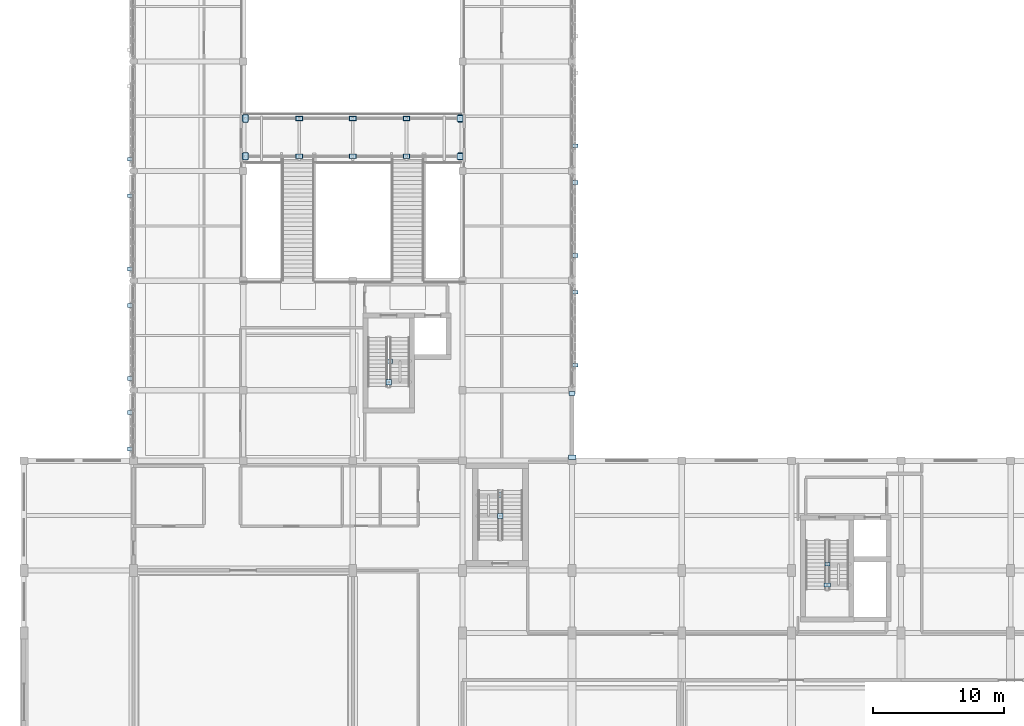
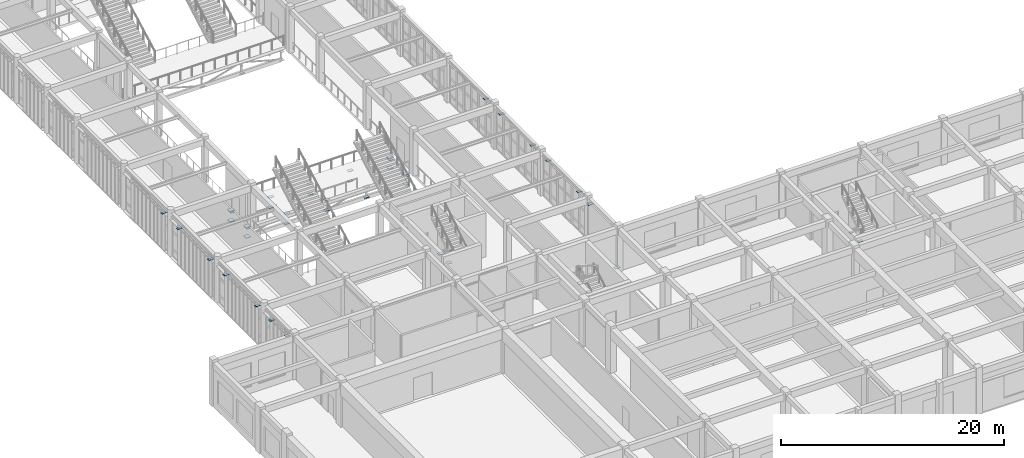
# One storey, part 66 of 93: 44 plates.
"""IFC4 building model written with IfcOpenShell, lengths in metres."""

from ifc_helpers import new_model, si_unit, direction, frame, origin, origin_2d, place, context, subcontext, project, spatial, rectangle, extrude, material, layer, layer_set, type_object, element, save


model = new_model("IFC4")

# Units and contexts
model_context = context("Model", 3, precision=1e-05, world=origin(), true_north=direction((0.0, 1.0)))
body_context = subcontext(model_context, "Body", "Model", "MODEL_VIEW")
ifc_project = project(units=[si_unit("LENGTHUNIT", "METRE"), si_unit("AREAUNIT", "SQUARE_METRE"), si_unit("VOLUMEUNIT", "CUBIC_METRE"), si_unit("PLANEANGLEUNIT", "RADIAN"), si_unit("MASSUNIT", "GRAM", prefix="KILO")], contexts=[model_context])

# Site, building, storey
site_placement = place(None, origin())
site = spatial("IfcSite", under=ifc_project, at=site_placement, CompositionType="ELEMENT")
building_placement = place(site_placement, origin())
building = spatial("IfcBuilding", under=site, at=building_placement, Name="Krzemoval Escarpment Law Courts", CompositionType="ELEMENT")
storey_placement = place(building_placement, frame((0.0, 0.0, 10.199951171875)))
storey = spatial("IfcBuildingStorey", under=building, at=storey_placement, Name="L02", CompositionType="ELEMENT", Elevation=10.199951171875)

# Plates
ifc_material_1 = material(Name="Steel S355", Category="steel")
ifc_layer_1 = layer(ifc_material_1, 0.034912109375)
ifc_layer_set_1 = layer_set([ifc_layer_1], Name="Steel S355")
plate_type_1 = type_object("IfcPlateType", Name="PLT-BRG-SEAT360", PredefinedType="USERDEFINED", material=ifc_layer_set_1)
for number, where, z_axis, x_axis, name in (
    (1, (16.97998046875, 58.72998046875, -0.70556640625), (0.0, 0.0, 1.0), (1.0, 0.0, 0.0), "Sky-Bridge 360mm Sliding Bearing Seat BSP-0005"),
    (2, (33.419921875, 58.72998046875, -0.70556640625), (0.0, 0.0, 1.0), (1.0, 0.0, 0.0), "Sky-Bridge 360mm Sliding Bearing Seat BSP-0006"),
    (3, (16.97998046875, 61.6298828125, -0.70556640625), (0.0, 0.0, 1.0), (1.0, 0.0, 0.0), "Sky-Bridge 360mm Sliding Bearing Seat BSP-0007"),
    (4, (33.419921875, 61.6298828125, -0.70556640625), (0.0, 0.0, 1.0), (1.0, 0.0, 0.0), "Sky-Bridge 360mm Sliding Bearing Seat BSP-0008"),
):
    element("IfcPlate", number, at=place(storey_placement, frame(where, z_axis=z_axis, x_axis=x_axis)), inside=storey, type_object=plate_type_1, Name=name, ObjectType="FLANGE_PLATE", PredefinedType="USERDEFINED", context=body_context, shape_type="SweptSolid", body=[
        extrude(rectangle(XDim=0.360107421875, YDim=0.60009765625, at=origin_2d()), origin(), (0.0, 0.0, 1.0), 0.034912109375),
    ])
ifc_material_2 = material(Name="Anodised Aluminium Alloy 6063-T6", Category="aluminium")
ifc_layer_2 = layer(ifc_material_2, 0.01611328125)
ifc_layer_set_2 = layer_set([ifc_layer_2], Name="Anodised Aluminium Alloy 6063-T6")
plate_type_2 = type_object("IfcPlateType", Name="PLT-FIN-16", PredefinedType="USERDEFINED", material=ifc_layer_set_2)
for number, where, z_axis, x_axis, name in (
    (5, (8.199951171875, 36.300048828125, 4.14208984375), (0.0, 0.0, 1.0), (-1.0, 0.0, 0.0), "Sunshade Fin Blade FN-L02-0369"),
    (6, (8.199951171875, 39.10009765625, 4.14208984375), (0.0, 0.0, 1.0), (-1.0, 0.0, 0.0), "Sunshade Fin Blade FN-L02-0373"),
    (7, (8.199951171875, 41.699951171875, 4.14208984375), (0.0, 0.0, 1.0), (-1.0, 0.0, 0.0), "Sunshade Fin Blade FN-L02-0376"),
    (8, (8.199951171875, 47.300048828125, 4.14208984375), (0.0, 0.0, 1.0), (-1.0, 0.0, 0.0), "Sunshade Fin Blade FN-L02-0384"),
    (9, (8.199951171875, 50.10009765625, 4.14208984375), (0.0, 0.0, 1.0), (-1.0, 0.0, 0.0), "Sunshade Fin Blade FN-L02-0387"),
    (10, (8.199951171875, 55.699951171875, 4.14208984375), (0.0, 0.0, 1.0), (-1.0, 0.0, 0.0), "Sunshade Fin Blade FN-L02-0395"),
    (11, (8.199951171875, 58.5, 4.14208984375), (0.0, 0.0, 1.0), (-1.0, 0.0, 0.0), "Sunshade Fin Blade FN-L02-0398"),
    (12, (42.199951171875, 59.52490234375, 4.14208984375), (0.0, 0.0, 1.0), (1.0, 0.0, 0.0), "Sunshade Fin Blade FN-L02-0506"),
    (13, (42.199951171875, 56.72509765625, 4.14208984375), (0.0, 0.0, 1.0), (1.0, 0.0, 0.0), "Sunshade Fin Blade FN-L02-0509"),
    (14, (42.199951171875, 51.125, 4.14208984375), (0.0, 0.0, 1.0), (1.0, 0.0, 0.0), "Sunshade Fin Blade FN-L02-0517"),
    (15, (42.199951171875, 48.324951171875, 4.14208984375), (0.0, 0.0, 1.0), (1.0, 0.0, 0.0), "Sunshade Fin Blade FN-L02-0520"),
    (16, (42.199951171875, 42.72509765625, 4.14208984375), (0.0, 0.0, 1.0), (1.0, 0.0, 0.0), "Sunshade Fin Blade FN-L02-0528"),
):
    element("IfcPlate", number, at=place(storey_placement, frame(where, z_axis=z_axis, x_axis=x_axis)), inside=storey, type_object=plate_type_2, Name=name, ObjectType="SUNSHADE_FIN", PredefinedType="USERDEFINED", context=body_context, shape_type="SweptSolid", body=[
        extrude(rectangle(XDim=0.52001953125, YDim=0.280029296875, at=origin_2d()), origin(), (0.0, 0.0, 1.0), 0.01611328125),
    ])
ifc_material_3 = material(Name="Steel S355", Category="steel")
ifc_layer_3 = layer(ifc_material_3, 0.02392578125)
ifc_layer_set_3 = layer_set([ifc_layer_3], Name="Steel S355")
plate_type_3 = type_object("IfcPlateType", Name="PLT-FLG-24", PredefinedType="USERDEFINED", material=ifc_layer_set_3)
for number, where, z_axis, x_axis, name in (
    (17, (27.949951171875, 41.429931640625, 2.108154296875), (0.0, 0.0, 1.0), (1.0, 0.0, 0.0), "Gusset and End-Cap Plate ECP-0380"),
    (18, (36.5, 31.169921875, 2.108154296875), (0.0, 0.0, 1.0), (1.0, 0.0, 0.0), "Gusset and End-Cap Plate ECP-0401"),
):
    element("IfcPlate", number, at=place(storey_placement, frame(where, z_axis=z_axis, x_axis=x_axis)), inside=storey, type_object=plate_type_3, Name=name, ObjectType="FLANGE_PLATE", PredefinedType="USERDEFINED", context=body_context, shape_type="SweptSolid", body=[
        extrude(rectangle(XDim=0.419921875, YDim=0.419921875, at=origin_2d()), origin(), (0.0, 0.0, 1.0), 0.02392578125),
    ])
ifc_material_4 = material(Name="Steel S355", Category="steel")
ifc_layer_4 = layer(ifc_material_4, 0.034912109375)
ifc_layer_set_4 = layer_set([ifc_layer_4], Name="Steel S355")
plate_type_4 = type_object("IfcPlateType", Name="PLT-FLG-35", PredefinedType="USERDEFINED", material=ifc_layer_set_4)
for number, where, z_axis, x_axis, name in (
    (19, (33.429931640625, 58.72998046875, -1.6875), (0.0, 0.0, 1.0), (1.0, 0.0, 0.0), "Gusset and End-Cap Plate ECP-0153"),
    (20, (33.429931640625, 58.72998046875, -0.53759765625), (0.0, 0.0, 1.0), (1.0, 0.0, 0.0), "Gusset and End-Cap Plate ECP-0155"),
    (21, (33.429931640625, 61.6298828125, -1.6875), (0.0, 0.0, 1.0), (1.0, 0.0, 0.0), "Gusset and End-Cap Plate ECP-0163"),
    (22, (33.429931640625, 61.6298828125, -0.53759765625), (0.0, 0.0, 1.0), (1.0, 0.0, 0.0), "Gusset and End-Cap Plate ECP-0165"),
    (23, (36.5, 32.77001953125, 2.1025390625), (0.0, 0.0, 1.0), (1.0, 0.0, 0.0), "Gusset and End-Cap Plate ECP-0400"),
):
    element("IfcPlate", number, at=place(storey_placement, frame(where, z_axis=z_axis, x_axis=x_axis)), inside=storey, type_object=plate_type_4, Name=name, ObjectType="FLANGE_PLATE", PredefinedType="USERDEFINED", context=body_context, shape_type="SweptSolid", body=[
        extrude(rectangle(XDim=0.4599609375, YDim=0.4599609375, at=origin_2d()), origin(), (0.0, 0.0, 1.0), 0.034912109375),
    ])
ifc_material_5 = material(Name="Steel S355", Category="steel")
ifc_layer_5 = layer(ifc_material_5, 0.0400390625)
ifc_layer_set_5 = layer_set([ifc_layer_5], Name="Steel S355")
plate_type_5 = type_object("IfcPlateType", Name="PLT-FLG-40", PredefinedType="USERDEFINED", material=ifc_layer_set_5)
for number, where, z_axis, x_axis, name in (
    (24, (16.969970703125, 58.72998046875, -1.68994140625), (0.0, 0.0, 1.0), (1.0, 0.0, 0.0), "Gusset and End-Cap Plate ECP-0152"),
    (25, (16.969970703125, 58.72998046875, -0.5400390625), (0.0, 0.0, 1.0), (1.0, 0.0, 0.0), "Gusset and End-Cap Plate ECP-0154"),
    (26, (16.969970703125, 61.6298828125, -1.68994140625), (0.0, 0.0, 1.0), (1.0, 0.0, 0.0), "Gusset and End-Cap Plate ECP-0162"),
    (27, (16.969970703125, 61.6298828125, -0.5400390625), (0.0, 0.0, 1.0), (1.0, 0.0, 0.0), "Gusset and End-Cap Plate ECP-0164"),
):
    element("IfcPlate", number, at=place(storey_placement, frame(where, z_axis=z_axis, x_axis=x_axis)), inside=storey, type_object=plate_type_5, Name=name, ObjectType="FLANGE_PLATE", PredefinedType="USERDEFINED", context=body_context, shape_type="SweptSolid", body=[
        extrude(rectangle(XDim=0.5, YDim=0.5, at=origin_2d()), origin(), (0.0, 0.0, 1.0), 0.0400390625),
    ])
ifc_material_6 = material(Name="Steel S355", Category="steel")
ifc_layer_6 = layer(ifc_material_6, 0.01611328125)
ifc_layer_set_6 = layer_set([ifc_layer_6], Name="Steel S355")
plate_type_6 = type_object("IfcPlateType", Name="PLT-GUS-16", PredefinedType="USERDEFINED", material=ifc_layer_set_6)
plate_placement = place(storey_placement, frame((61.550048828125, 27.47998046875, 2.112060546875), z_axis=(0.0, 0.0, 1.0), x_axis=(1.0, 0.0, 0.0)))
element("IfcPlate", 28, at=plate_placement, inside=storey, type_object=plate_type_6, Name="Gusset and End-Cap Plate ECP-0369", ObjectType="GUSSET_PLATE", PredefinedType="USERDEFINED", context=body_context, shape_type="SweptSolid", body=[
    extrude(rectangle(XDim=0.3798828125, YDim=0.260009765625, at=origin_2d()), origin(), (0.0, 0.0, 1.0), 0.01611328125),
])
ifc_material_7 = material(Name="Steel S355", Category="steel")
ifc_layer_7 = layer(ifc_material_7, 0.02001953125)
ifc_layer_set_7 = layer_set([ifc_layer_7], Name="Steel S355")
plate_type_7 = type_object("IfcPlateType", Name="PLT-GUS-20", PredefinedType="USERDEFINED", material=ifc_layer_set_7)
for number, where, z_axis, x_axis, name in (
    (29, (25.199951171875, 58.72998046875, -1.679931640625), (0.0, 0.0, 1.0), (1.0, 0.0, 0.0), "Gusset and End-Cap Plate ECP-0157"),
    (30, (21.0849609375, 58.72998046875, -1.679931640625), (0.0, 0.0, 1.0), (1.0, 0.0, 0.0), "Gusset and End-Cap Plate ECP-0159"),
    (31, (29.31494140625, 58.72998046875, -1.679931640625), (0.0, 0.0, 1.0), (1.0, 0.0, 0.0), "Gusset and End-Cap Plate ECP-0161"),
    (32, (25.199951171875, 61.6298828125, -1.679931640625), (0.0, 0.0, 1.0), (1.0, 0.0, 0.0), "Gusset and End-Cap Plate ECP-0167"),
    (33, (21.0849609375, 61.6298828125, -1.679931640625), (0.0, 0.0, 1.0), (1.0, 0.0, 0.0), "Gusset and End-Cap Plate ECP-0169"),
    (34, (29.31494140625, 61.6298828125, -1.679931640625), (0.0, 0.0, 1.0), (1.0, 0.0, 0.0), "Gusset and End-Cap Plate ECP-0171"),
    (35, (42.0, 40.550048828125, 4.130126953125), (0.0, 0.0, 1.0), (1.0, 0.0, 0.0), "Gusset and End-Cap Plate ECP-0261"),
    (36, (61.550048828125, 25.8798828125, 2.110107421875), (0.0, 0.0, 1.0), (1.0, 0.0, 0.0), "Gusset and End-Cap Plate ECP-0368"),
):
    element("IfcPlate", number, at=place(storey_placement, frame(where, z_axis=z_axis, x_axis=x_axis)), inside=storey, type_object=plate_type_7, Name=name, ObjectType="GUSSET_PLATE", PredefinedType="USERDEFINED", context=body_context, shape_type="SweptSolid", body=[
        extrude(rectangle(XDim=0.47998046875, YDim=0.320068359375, at=origin_2d()), origin(), (0.0, 0.0, 1.0), 0.02001953125),
    ])
ifc_material_8 = material(Name="Steel S355", Category="steel")
ifc_layer_8 = layer(ifc_material_8, 0.030029296875)
ifc_layer_set_8 = layer_set([ifc_layer_8], Name="Steel S355")
plate_type_8 = type_object("IfcPlateType", Name="PLT-GUS-30", PredefinedType="USERDEFINED", material=ifc_layer_set_8)
for number, where, z_axis, x_axis, name in (
    (37, (21.0849609375, 58.72998046875, -0.53515625), (0.0, 0.0, 1.0), (1.0, 0.0, 0.0), "Gusset and End-Cap Plate ECP-0156"),
    (38, (29.31494140625, 58.72998046875, -0.53515625), (0.0, 0.0, 1.0), (1.0, 0.0, 0.0), "Gusset and End-Cap Plate ECP-0158"),
    (39, (25.199951171875, 58.72998046875, -0.53515625), (0.0, 0.0, 1.0), (1.0, 0.0, 0.0), "Gusset and End-Cap Plate ECP-0160"),
    (40, (21.0849609375, 61.6298828125, -0.53515625), (0.0, 0.0, 1.0), (1.0, 0.0, 0.0), "Gusset and End-Cap Plate ECP-0166"),
    (41, (29.31494140625, 61.6298828125, -0.53515625), (0.0, 0.0, 1.0), (1.0, 0.0, 0.0), "Gusset and End-Cap Plate ECP-0168"),
    (42, (25.199951171875, 61.6298828125, -0.53515625), (0.0, 0.0, 1.0), (1.0, 0.0, 0.0), "Gusset and End-Cap Plate ECP-0170"),
    (43, (42.0, 35.675048828125, 0.125), (0.0, 0.0, 1.0), (1.0, 0.0, 0.0), "Gusset and End-Cap Plate ECP-0260"),
    (44, (27.949951171875, 43.030029296875, 2.10498046875), (0.0, 0.0, 1.0), (1.0, 0.0, 0.0), "Gusset and End-Cap Plate ECP-0381"),
):
    element("IfcPlate", number, at=place(storey_placement, frame(where, z_axis=z_axis, x_axis=x_axis)), inside=storey, type_object=plate_type_8, Name=name, ObjectType="GUSSET_PLATE", PredefinedType="USERDEFINED", context=body_context, shape_type="SweptSolid", body=[
        extrude(rectangle(XDim=0.56005859375, YDim=0.360107421875, at=origin_2d()), origin(), (0.0, 0.0, 1.0), 0.030029296875),
    ])

save(model, "model.ifc")
